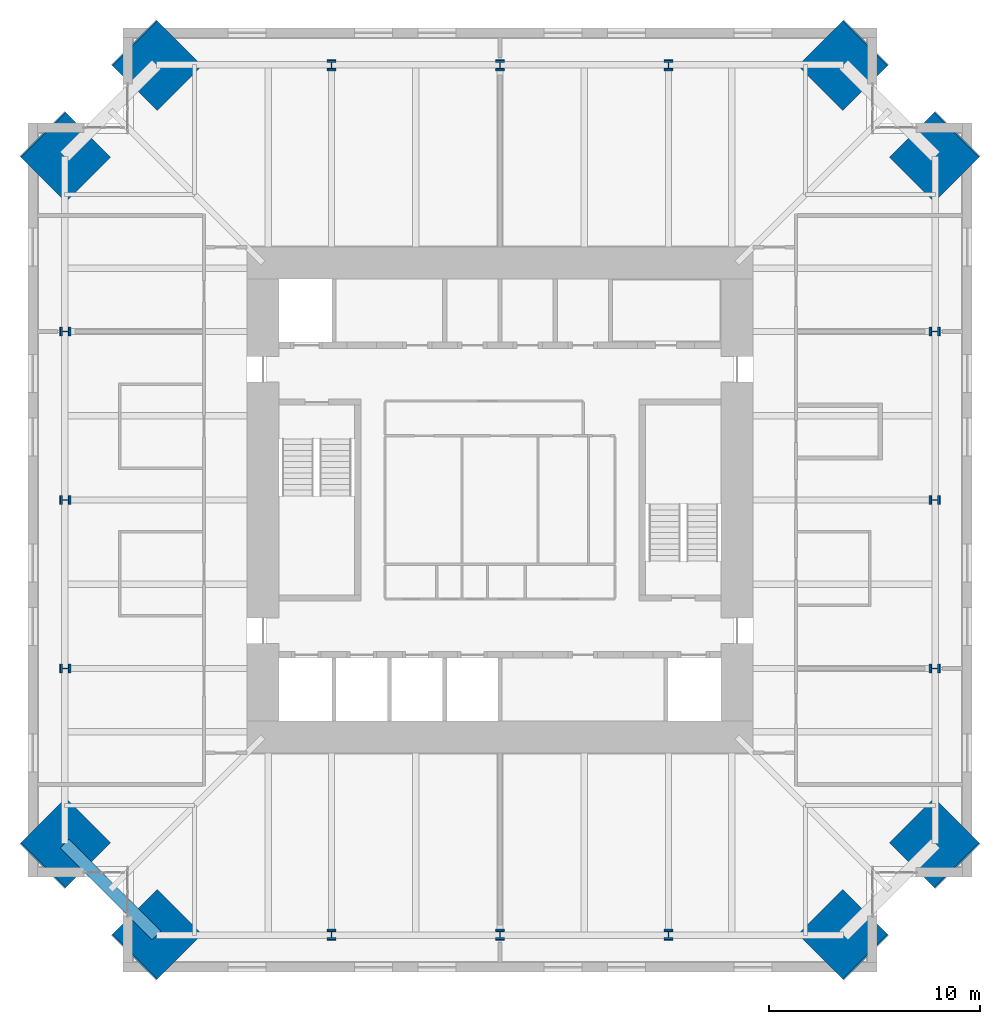
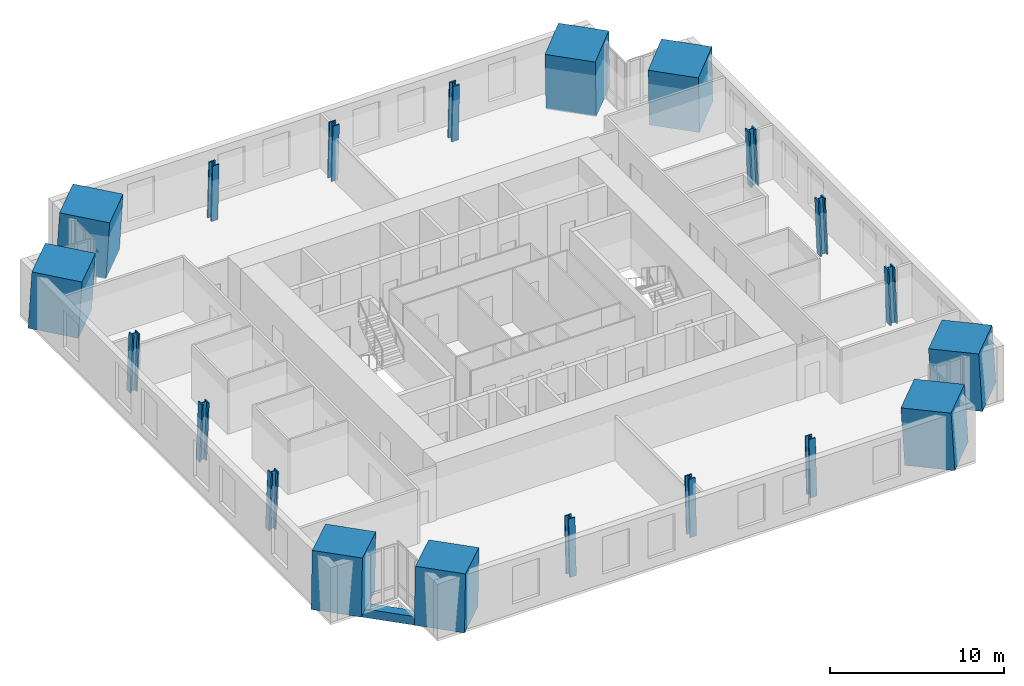
# One storey, part 1 of 17: 20 columns, 1 beam.
"""IFC4 building model written with IfcOpenShell, lengths in metres."""

from ifc_helpers import new_model, si_unit, direction, frame, origin, origin_2d, place, context, subcontext, project, spatial, rectangle, hollow_rectangle, i_section, extrude, material, material_profile, profile_set, type_object, element, save


model = new_model("IFC4")

# Units and contexts
model_context = context("Model", 3, precision=1e-05, world=origin(), true_north=direction((0.0, 1.0)))
body_context = subcontext(model_context, "Body", "Model", "MODEL_VIEW")
ifc_project = project(units=[si_unit("LENGTHUNIT", "METRE"), si_unit("AREAUNIT", "SQUARE_METRE"), si_unit("VOLUMEUNIT", "CUBIC_METRE"), si_unit("PLANEANGLEUNIT", "RADIAN"), si_unit("MASSUNIT", "GRAM", prefix="KILO")], contexts=[model_context])

# Site, building, storey
site_placement = place(None, origin())
site = spatial("IfcSite", under=ifc_project, at=site_placement, CompositionType="ELEMENT")
building_placement = place(site_placement, origin())
building = spatial("IfcBuilding", under=site, at=building_placement, Name="Peilmerk Tower", CompositionType="ELEMENT")
storey_placement = place(building_placement, frame((0.0, 0.0, 253.800048828125)))
storey = spatial("IfcBuildingStorey", under=building, at=storey_placement, Name="L56", CompositionType="ELEMENT", Elevation=253.800048828125)

# Columns
ifc_material_1 = material(Name="Concrete C90/105", Category="concrete")
ifc_material_profile_1 = material_profile(ifc_material_1, rectangle(XDim=3.0, YDim=3.0, at=origin_2d()), Name="RC 3000x3000")
ifc_profile_set_1 = profile_set([ifc_material_profile_1], Name="Concrete C90/105")
column_type_1 = type_object("IfcColumnType", Name="MC3 3000x3000 encased mega column", PredefinedType="COLUMN", material=ifc_profile_set_1)
for number, where, z_axis, x_axis, name in (
    (1, (16.31298828125, 20.662841796875, 0.0), (-0.040278830354, -0.040217894151, 0.998378754189), (0.706571297296, -0.707641859868, 0.0), "Mega column MC3 NE_N L56"),
    (2, (20.662841796875, 16.31298828125, 0.0), (-0.040217894151, -0.040278830354, 0.998378754189), (0.707641859868, -0.706571297296, 0.0), "Mega column MC3 NE_E L56"),
    (3, (20.662841796875, -16.31298828125, 0.0), (-0.040217894151, 0.040278830354, 0.998378754189), (-0.707641859868, -0.706571297296, 0.0), "Mega column MC3 SE_E L56"),
    (4, (16.31298828125, -20.662841796875, 0.0), (-0.040278830354, 0.040217894151, 0.998378754189), (-0.706571297296, -0.707641859868, 0.0), "Mega column MC3 SE_S L56"),
    (5, (-16.31298828125, -20.662841796875, 0.0), (0.040278830354, 0.040217894151, 0.998378754189), (-0.706571297296, 0.707641859868, 0.0), "Mega column MC3 SW_S L56"),
    (6, (-20.662841796875, -16.31298828125, 0.0), (0.040217894151, 0.040278830354, 0.998378754189), (-0.707641859868, 0.706571297296, 0.0), "Mega column MC3 SW_W L56"),
    (7, (-20.662841796875, 16.31298828125, 0.0), (0.040217894151, -0.040278830354, 0.998378754189), (0.707641859868, 0.706571297296, 0.0), "Mega column MC3 NW_W L56"),
    (8, (-16.31298828125, 20.662841796875, 0.0), (0.040278830354, -0.040217894151, 0.998378754189), (0.706571297296, 0.707641859868, 0.0), "Mega column MC3 NW_N L56"),
):
    element("IfcColumn", number, at=place(storey_placement, frame(where, z_axis=z_axis, x_axis=x_axis)), inside=storey, type_object=column_type_1, Name=name, PredefinedType="COLUMN", context=body_context, shape_type="SweptSolid", body=[
        extrude(rectangle(XDim=3.0, YDim=3.0, at=origin_2d()), origin(), (0.0, 0.0, 1.0), 4.006591796875),
    ])
ifc_material_2 = material(Name="Steel S460", Category="steel")
ifc_material_profile_2 = material_profile(ifc_material_2, i_section(OverallWidth=0.431884765625, OverallDepth=0.498046875, WebThickness=0.0556640625, FlangeThickness=0.0888671875, at=origin_2d()), Name="HD 400x744")
ifc_profile_set_2 = profile_set([ifc_material_profile_2], Name="Steel S460")
column_type_2 = type_object("IfcColumnType", Name="SC7 HD 400x744 perimeter column", PredefinedType="COLUMN", material=ifc_profile_set_2)
for number, where, z_axis, x_axis, name in (
    (9, (0.0, 20.662841796875, 0.0), (0.0, -0.040250558339, 0.999189617917), (1.0, 0.0, 0.0), "Perimeter column N+0 L56"),
    (10, (8.0, 20.662841796875, 0.0), (0.0, -0.040250558339, 0.999189617917), (1.0, 0.0, 0.0), "Perimeter column N-8 L56"),
    (11, (-8.0, 20.662841796875, 0.0), (0.0, -0.040250558339, 0.999189617917), (1.0, 0.0, 0.0), "Perimeter column N+8 L56"),
    (12, (20.662841796875, 0.0, 0.0), (-0.040250558339, 0.0, 0.999189617917), (0.0, -1.0, 0.0), "Perimeter column E+0 L56"),
    (13, (20.662841796875, -8.0, 0.0), (-0.040250558339, 0.0, 0.999189617917), (0.0, -1.0, 0.0), "Perimeter column E-8 L56"),
    (14, (20.662841796875, 8.0, 0.0), (-0.040250558339, 0.0, 0.999189617917), (0.0, -1.0, 0.0), "Perimeter column E+8 L56"),
    (15, (0.0, -20.662841796875, 0.0), (0.0, 0.040250558339, 0.999189617917), (-1.0, 0.0, 0.0), "Perimeter column S+0 L56"),
    (16, (-8.0, -20.662841796875, 0.0), (0.0, 0.040250558339, 0.999189617917), (-1.0, 0.0, 0.0), "Perimeter column S-8 L56"),
    (17, (8.0, -20.662841796875, 0.0), (0.0, 0.040250558339, 0.999189617917), (-1.0, 0.0, 0.0), "Perimeter column S+8 L56"),
    (18, (-20.662841796875, 0.0, 0.0), (0.040250558339, 0.0, 0.999189617917), (0.0, 1.0, 0.0), "Perimeter column W+0 L56"),
    (19, (-20.662841796875, 8.0, 0.0), (0.040250558339, 0.0, 0.999189617917), (0.0, 1.0, 0.0), "Perimeter column W-8 L56"),
    (20, (-20.662841796875, -8.0, 0.0), (0.040250558339, 0.0, 0.999189617917), (0.0, 1.0, 0.0), "Perimeter column W+8 L56"),
):
    element("IfcColumn", number, at=place(storey_placement, frame(where, z_axis=z_axis, x_axis=x_axis)), inside=storey, type_object=column_type_2, Name=name, PredefinedType="COLUMN", context=body_context, shape_type="SweptSolid", body=[
        extrude(i_section(OverallWidth=0.431884765625, OverallDepth=0.498046875, WebThickness=0.0556640625, FlangeThickness=0.0888671875, at=origin_2d()), origin(), (0.0, 0.0, 1.0), 4.003173828125),
    ])

# Beam
ifc_material_profile_3 = material_profile(ifc_material_2, hollow_rectangle(XDim=0.60009765625, YDim=0.60009765625, WallThickness=0.06005859375, at=origin_2d()), Name="BOX 600x600x60")
ifc_profile_set_3 = profile_set([ifc_material_profile_3], Name="Steel S460")
beam_type = type_object("IfcBeamType", Name="B20 BOX 600x600x60 notch beam", PredefinedType="SPANDREL", material=ifc_profile_set_3)
beam_placement = place(storey_placement, frame((-16.31298828125, -20.662841796875, -0.469970703125), z_axis=(-0.707106781187, 0.707106781187, 0.0), x_axis=(-0.707106781187, -0.707106781187, 0.0)))
element("IfcBeam", 21, at=beam_placement, inside=storey, type_object=beam_type, Name="Notch beam L56", PredefinedType="SPANDREL", context=body_context, shape_type="SweptSolid", body=[
    extrude(hollow_rectangle(XDim=0.60009765625, YDim=0.60009765625, WallThickness=0.06005859375, at=origin_2d()), origin(), (0.0, 0.0, 1.0), 6.151611328125),
])

save(model, "model.ifc")
